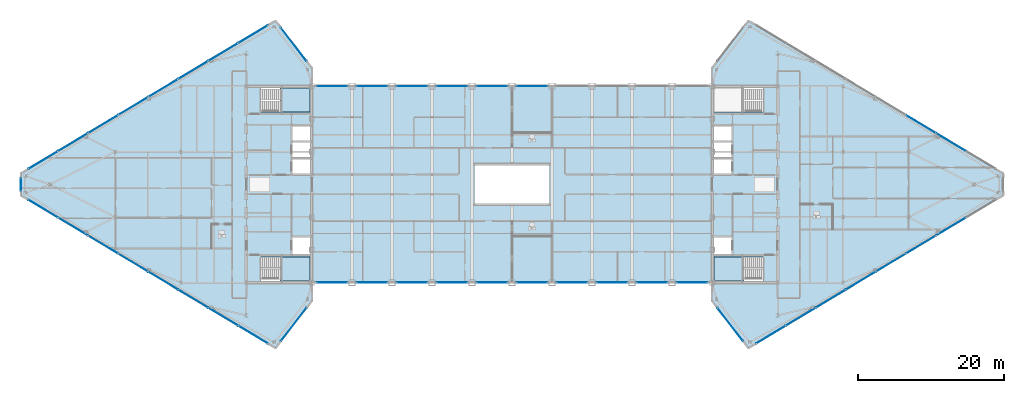
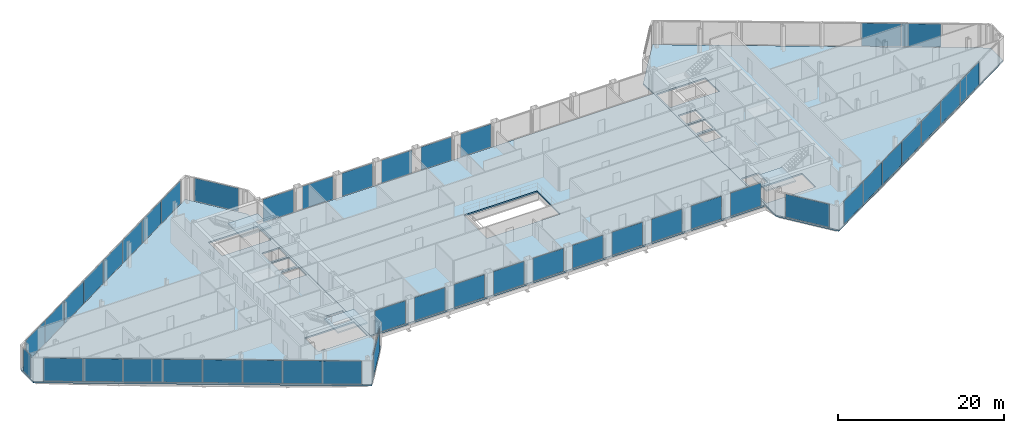
# One storey, part 19 of 29: 45 plates, 6 slabs, 27 elements without a shape of their own.
"""IFC4 building model written with IfcOpenShell, lengths in metres."""

from ifc_helpers import new_model, si_unit, direction, frame, origin, origin_2d, place, context, subcontext, project, spatial, polyline, rectangle, outline, extrude, source, transform, mapped, material, layer, layer_set, type_object, type_shapes, element, aggregate, save


model = new_model("IFC4")

# Units and contexts
model_context = context("Model", 3, precision=1e-05, world=origin(), true_north=direction((0.0, 1.0)))
body_context = subcontext(model_context, "Body", "Model", "MODEL_VIEW")
ifc_project = project(units=[si_unit("LENGTHUNIT", "METRE"), si_unit("AREAUNIT", "SQUARE_METRE"), si_unit("VOLUMEUNIT", "CUBIC_METRE"), si_unit("PLANEANGLEUNIT", "RADIAN"), si_unit("MASSUNIT", "GRAM", prefix="KILO")], contexts=[model_context])

# Site, building, storey
site_placement = place(None, origin())
site = spatial("IfcSite", under=ifc_project, at=site_placement, CompositionType="ELEMENT")
building_placement = place(site_placement, origin())
building = spatial("IfcBuilding", under=site, at=building_placement, Name="Seokmaru Belvedere", CompositionType="ELEMENT")
storey_placement = place(building_placement, frame((0.0, 0.0, 243.14990234375)))
storey = spatial("IfcBuildingStorey", under=building, at=storey_placement, Name="L64", CompositionType="ELEMENT", Elevation=243.14990234375)

# Stair, slab
ifc_material_1 = material(Name="Concrete C40 (40 MPa)", Category="concrete")
stair_type = type_object("IfcStairType", Name="Sky-Gate Residential Core Dog-Leg Stair 3750", PredefinedType="TWO_STRAIGHT_RUN_STAIR", material=ifc_material_1)
stair_1_placement = place(storey_placement, origin())
stair_1 = element("IfcStair", 1, at=stair_1_placement, inside=storey, type_object=stair_type, Name="L64 Special Escape Stair ST-W1", PredefinedType="TWO_STRAIGHT_RUN_STAIR")
ifc_layer_1 = layer(ifc_material_1, 0.199951171875)
ifc_layer_set_1 = layer_set([ifc_layer_1], Name="Concrete C40 (40 MPa)")
slab_type_1 = type_object("IfcSlabType", Name="Reinforced Concrete Stair Landing Slab 200", PredefinedType="LANDING", material=ifc_layer_set_1)
slab_1_placement = place(storey_placement, frame((0.0, 0.0, 1.675048828125)))
slab_1 = element("IfcSlab", 2, at=slab_1_placement, type_object=slab_type_1, Name="ST-W1 landing 1", PredefinedType="LANDING", context=body_context, shape_type="SweptSolid", body=[
    extrude(outline(polyline([(-31.8798828125, -13.239990234375), (-27.760009765625, -13.239990234375), (-27.760009765625, -9.949951171875), (-31.8798828125, -9.949951171875), (-31.8798828125, -13.239990234375)])), origin(), (0.0, 0.0, 1.0), 0.199951171875),
])
aggregate(stair_1, [slab_1])

stair_2_placement = place(storey_placement, origin())
stair_2 = element("IfcStair", 3, at=stair_2_placement, inside=storey, type_object=stair_type, Name="L64 Special Escape Stair ST-W2", PredefinedType="TWO_STRAIGHT_RUN_STAIR")
slab_2_placement = place(storey_placement, frame((0.0, 0.0, 1.675048828125)))
slab_2 = element("IfcSlab", 4, at=slab_2_placement, type_object=slab_type_1, Name="ST-W2 landing 1", PredefinedType="LANDING", context=body_context, shape_type="SweptSolid", body=[
    extrude(outline(polyline([(-31.8798828125, 9.949951171875), (-27.760009765625, 9.949951171875), (-27.760009765625, 13.239990234375), (-31.8798828125, 13.239990234375), (-31.8798828125, 9.949951171875)])), origin(), (0.0, 0.0, 1.0), 0.199951171875),
])
aggregate(stair_2, [slab_2])

stair_3_placement = place(storey_placement, origin())
stair_3 = element("IfcStair", 5, at=stair_3_placement, inside=storey, type_object=stair_type, Name="L64 Special Escape Stair ST-E1", PredefinedType="TWO_STRAIGHT_RUN_STAIR")
slab_3_placement = place(storey_placement, frame((0.0, 0.0, 1.675048828125)))
slab_3 = element("IfcSlab", 6, at=slab_3_placement, type_object=slab_type_1, Name="ST-E1 landing 1", PredefinedType="LANDING", context=body_context, shape_type="SweptSolid", body=[
    extrude(outline(polyline([(27.760009765625, -13.239990234375), (31.8798828125, -13.239990234375), (31.8798828125, -9.949951171875), (27.760009765625, -9.949951171875), (27.760009765625, -13.239990234375)])), origin(), (0.0, 0.0, 1.0), 0.199951171875),
])
aggregate(stair_3, [slab_3])

# Slabs
ifc_layer_2 = layer(ifc_material_1, 0.219970703125)
ifc_layer_set_2 = layer_set([ifc_layer_2], Name="Concrete C40 (40 MPa)")
slab_type_2 = type_object("IfcSlabType", Name="Typical Tower Composite Floor Slab 220", PredefinedType="FLOOR", material=ifc_layer_set_2)
slab_4_placement = place(storey_placement, frame((0.0, 0.0, -0.219970703125)))
element("IfcSlab", 7, at=slab_4_placement, inside=storey, type_object=slab_type_2, Name="L64 West Leg Floor Slab", PredefinedType="FLOOR", context=body_context, shape_type="SweptSolid", body=[
    extrude(outline(polyline([(-27.5, -16.0), (-27.5, 16.0), (-32.5, 22.5), (-67.5, 1.5), (-67.5, -1.5), (-32.5, -22.5), (-27.5, -16.0)]), holes=[polyline([(-34.60009765625, -13.25), (-27.75, -13.25), (-27.75, -9.949951171875), (-34.60009765625, -9.949951171875), (-34.60009765625, -13.25)]), polyline([(-34.60009765625, 9.949951171875), (-27.75, 9.949951171875), (-27.75, 13.25), (-34.60009765625, 13.25), (-34.60009765625, 9.949951171875)]), polyline([(-30.14990234375, -9.550048828125), (-27.75, -9.550048828125), (-27.75, -7.25), (-30.14990234375, -7.25), (-30.14990234375, -9.550048828125)]), polyline([(-30.14990234375, 1.449951171875), (-27.75, 1.449951171875), (-27.75, 3.449951171875), (-30.14990234375, 3.449951171875), (-30.14990234375, 1.449951171875)]), polyline([(-30.14990234375, 3.75), (-27.75, 3.75), (-27.75, 5.75), (-30.14990234375, 5.75), (-30.14990234375, 3.75)]), polyline([(-30.14990234375, 6.050048828125), (-27.75, 6.050048828125), (-27.75, 8.050048828125), (-30.14990234375, 8.050048828125), (-30.14990234375, 6.050048828125)])]), origin(), (0.0, 0.0, 1.0), 0.219970703125),
])
slab_5_placement = place(storey_placement, frame((0.0, 0.0, -0.219970703125)))
element("IfcSlab", 8, at=slab_5_placement, inside=storey, type_object=slab_type_2, Name="L64 East Leg Floor Slab", PredefinedType="FLOOR", context=body_context, shape_type="SweptSolid", body=[
    extrude(outline(polyline([(32.5, -22.5), (67.5, -1.5), (67.5, 1.5), (32.5, 22.5), (27.5, 16.0), (27.5, -16.0), (32.5, -22.5)]), holes=[polyline([(27.75, -13.25), (34.60009765625, -13.25), (34.60009765625, -9.949951171875), (27.75, -9.949951171875), (27.75, -13.25)]), polyline([(27.75, 9.949951171875), (34.60009765625, 9.949951171875), (34.60009765625, 13.25), (27.75, 13.25), (27.75, 9.949951171875)]), polyline([(27.75, -9.550048828125), (30.14990234375, -9.550048828125), (30.14990234375, -7.25), (27.75, -7.25), (27.75, -9.550048828125)]), polyline([(27.75, 1.449951171875), (30.14990234375, 1.449951171875), (30.14990234375, 3.449951171875), (27.75, 3.449951171875), (27.75, 1.449951171875)]), polyline([(27.75, 3.75), (30.14990234375, 3.75), (30.14990234375, 5.75), (27.75, 5.75), (27.75, 3.75)]), polyline([(27.75, 6.050048828125), (30.14990234375, 6.050048828125), (30.14990234375, 8.050048828125), (27.75, 8.050048828125), (27.75, 6.050048828125)])]), origin(), (0.0, 0.0, 1.0), 0.219970703125),
])
slab_6_placement = place(storey_placement, frame((0.0, 0.0, -0.219970703125)))
element("IfcSlab", 9, at=slab_6_placement, inside=storey, type_object=slab_type_2, Name="L64 Sky-Gate Bridge Floor Slab", PredefinedType="FLOOR", context=body_context, shape_type="SweptSolid", body=[
    extrude(outline(polyline([(-27.5, -13.5), (27.5, -13.5), (27.5, 13.5), (-27.5, 13.5), (-27.5, -13.5)]), holes=[polyline([(-5.10009765625, -2.800048828125), (5.10009765625, -2.800048828125), (5.10009765625, 2.800048828125), (-5.10009765625, 2.800048828125), (-5.10009765625, -2.800048828125)])]), origin(), (0.0, 0.0, 1.0), 0.219970703125),
])

# Curtain wall, plate
ifc_material_2 = material(Name="Bronze Triple Insulating Glass", Category="glass")
ifc_layer_3 = layer(ifc_material_2, 0.219970703125)
ifc_layer_set_3 = layer_set([ifc_layer_3], Name="Bronze Triple Insulating Glass")
curtain_wall_type = type_object("IfcCurtainWallType", Name="Sky-Gate Bridge Panorama Curtain Wall System CW-6", PredefinedType="NOTDEFINED", material=ifc_layer_set_3)
curtain_wall_1_placement = place(storey_placement, origin())
curtain_wall_1 = element("IfcCurtainWall", 10, at=curtain_wall_1_placement, inside=storey, type_object=curtain_wall_type, Name="L64 Curtain Wall WF2", PredefinedType="NOTDEFINED")
ifc_layer_4 = layer(ifc_material_2, 0.0419921875)
ifc_layer_set_4 = layer_set([ifc_layer_4], Name="Bronze Triple Insulating Glass")
plate_type = type_object("IfcPlateType", Name="Acoustic Laminated Panorama Glazing Panel 42", PredefinedType="CURTAIN_PANEL", material=ifc_layer_set_4)
shared_shape_1 = source(origin(), body_context, "Body", "SweptSolid", [
    extrude(rectangle(XDim=5.740478515625, YDim=0.0419921875, at=origin_2d()), origin(), (0.0, 0.0, 1.0), 3.3798828125),
])
plate_1_placement = place(storey_placement, frame((-30.0, 19.25, 0.0751953125), z_axis=(0.0, 0.0, 1.0), x_axis=(-0.609701187349, 0.792631353244, 0.0)))
plate_1 = element("IfcPlate", 11, at=plate_1_placement, type_object=plate_type, Name="CW:L64:WF2 Glazing Panel 1-1", PredefinedType="CURTAIN_PANEL", context=body_context, shape_type="MappedRepresentation", body=[
    mapped(shared_shape_1, transform((0.0, 0.0, 0.0), scale=1.0)),
])
aggregate(curtain_wall_1, [plate_1])

curtain_wall_2_placement = place(storey_placement, origin())
curtain_wall_2 = element("IfcCurtainWall", 12, at=curtain_wall_2_placement, inside=storey, type_object=curtain_wall_type, Name="L64 Curtain Wall WF6", PredefinedType="NOTDEFINED")
plate_2_placement = place(storey_placement, frame((-30.0, -19.25, 0.0751953125), z_axis=(0.0, 0.0, 1.0), x_axis=(0.609701187349, 0.792631353244, 0.0)))
plate_2 = element("IfcPlate", 13, at=plate_2_placement, type_object=plate_type, Name="CW:L64:WF6 Glazing Panel 1-1", PredefinedType="CURTAIN_PANEL", context=body_context, shape_type="MappedRepresentation", body=[
    mapped(shared_shape_1, transform((0.0, 0.0, 0.0), scale=1.0)),
])
aggregate(curtain_wall_2, [plate_2])

curtain_wall_3_placement = place(storey_placement, origin())
curtain_wall_3 = element("IfcCurtainWall", 14, at=curtain_wall_3_placement, inside=storey, type_object=curtain_wall_type, Name="L64 Curtain Wall EF6", PredefinedType="NOTDEFINED")
plate_3_placement = place(storey_placement, frame((30.0, -19.25, 0.0751953125), z_axis=(0.0, 0.0, 1.0), x_axis=(0.609701187349, -0.792631353244, 0.0)))
plate_3 = element("IfcPlate", 15, at=plate_3_placement, type_object=plate_type, Name="CW:L64:EF6 Glazing Panel 1-1", PredefinedType="CURTAIN_PANEL", context=body_context, shape_type="MappedRepresentation", body=[
    mapped(shared_shape_1, transform((0.0, 0.0, 0.0), scale=1.0)),
])
aggregate(curtain_wall_3, [plate_3])

# Curtain wall, plates
curtain_wall_4_placement = place(storey_placement, origin())
curtain_wall_4 = element("IfcCurtainWall", 16, at=curtain_wall_4_placement, inside=storey, type_object=curtain_wall_type, Name="L64 Curtain Wall WF3", PredefinedType="NOTDEFINED")
shared_shape_2 = source(origin(), body_context, "Body", "SweptSolid", [
    extrude(rectangle(XDim=4.694580078125, YDim=0.0419921875, at=origin_2d()), origin(), (0.0, 0.0, 1.0), 3.3798828125),
])
plate_4_placement = place(storey_placement, frame((-35.5673828125, 20.659423828125, 0.0751953125), z_axis=(0.0, 0.0, 1.0), x_axis=(-0.85749343335, -0.514494909364, 0.0)))
plate_4 = element("IfcPlate", 17, at=plate_4_placement, type_object=plate_type, Name="CW:L64:WF3 Glazing Panel 1-1", PredefinedType="CURTAIN_PANEL", context=body_context, shape_type="MappedRepresentation", body=[
    mapped(shared_shape_2, transform((0.0, 0.0, 0.0), scale=1.0)),
])
plate_5_placement = place(storey_placement, frame((-64.4326171875, 3.340576171875, 0.0751953125), z_axis=(0.0, 0.0, 1.0), x_axis=(-0.85749343335, -0.514494909364, 0.0)))
plate_5 = element("IfcPlate", 18, at=plate_5_placement, type_object=plate_type, Name="CW:L64:WF3 Glazing Panel 8-1", PredefinedType="CURTAIN_PANEL", context=body_context, shape_type="MappedRepresentation", body=[
    mapped(shared_shape_2, transform((0.0, 0.0, 0.0), scale=1.0)),
])

curtain_wall_5_placement = place(storey_placement, origin())
curtain_wall_5 = element("IfcCurtainWall", 19, at=curtain_wall_5_placement, inside=storey, type_object=curtain_wall_type, Name="L64 Curtain Wall WF5", PredefinedType="NOTDEFINED")
plate_6_placement = place(storey_placement, frame((-64.4326171875, -3.340576171875, 0.0751953125), z_axis=(0.0, 0.0, 1.0), x_axis=(0.85749343335, -0.514494909364, 0.0)))
plate_6 = element("IfcPlate", 20, at=plate_6_placement, type_object=plate_type, Name="CW:L64:WF5 Glazing Panel 1-1", PredefinedType="CURTAIN_PANEL", context=body_context, shape_type="MappedRepresentation", body=[
    mapped(shared_shape_2, transform((0.0, 0.0, 0.0), scale=1.0)),
])
plate_7_placement = place(storey_placement, frame((-35.5673828125, -20.659423828125, 0.0751953125), z_axis=(0.0, 0.0, 1.0), x_axis=(0.85749343335, -0.514494909364, 0.0)))
plate_7 = element("IfcPlate", 21, at=plate_7_placement, type_object=plate_type, Name="CW:L64:WF5 Glazing Panel 8-1", PredefinedType="CURTAIN_PANEL", context=body_context, shape_type="MappedRepresentation", body=[
    mapped(shared_shape_2, transform((0.0, 0.0, 0.0), scale=1.0)),
])

# Curtain wall, plate
curtain_wall_6_placement = place(storey_placement, origin())
curtain_wall_6 = element("IfcCurtainWall", 22, at=curtain_wall_6_placement, inside=storey, type_object=curtain_wall_type, Name="L64 Curtain Wall EF1", PredefinedType="NOTDEFINED")
plate_8_placement = place(storey_placement, frame((35.5673828125, -20.659423828125, 0.0751953125), z_axis=(0.0, 0.0, 1.0), x_axis=(0.85749343335, 0.514494909364, 0.0)))
plate_8 = element("IfcPlate", 23, at=plate_8_placement, type_object=plate_type, Name="CW:L64:EF1 Glazing Panel 1-1", PredefinedType="CURTAIN_PANEL", context=body_context, shape_type="MappedRepresentation", body=[
    mapped(shared_shape_2, transform((0.0, 0.0, 0.0), scale=1.0)),
])

# Plate
shared_shape_3 = source(origin(), body_context, "Body", "SweptSolid", [
    extrude(rectangle(XDim=4.734619140625, YDim=0.0419921875, at=origin_2d()), origin(), (0.0, 0.0, 1.0), 3.3798828125),
])
plate_9_placement = place(storey_placement, frame((-39.6787109375, 18.192626953125, 0.0751953125), z_axis=(0.0, 0.0, 1.0), x_axis=(-0.85749343335, -0.514494909364, 0.0)))
plate_9 = element("IfcPlate", 24, at=plate_9_placement, type_object=plate_type, Name="CW:L64:WF3 Glazing Panel 2-1", PredefinedType="CURTAIN_PANEL", context=body_context, shape_type="MappedRepresentation", body=[
    mapped(shared_shape_3, transform((0.0, 0.0, 0.0), scale=1.0)),
])

plate_10_placement = place(storey_placement, frame((-43.807373046875, 15.715576171875, 0.0751953125), z_axis=(0.0, 0.0, 1.0), x_axis=(-0.85749343335, -0.514494909364, 0.0)))
plate_10 = element("IfcPlate", 25, at=plate_10_placement, type_object=plate_type, Name="CW:L64:WF3 Glazing Panel 3-1", PredefinedType="CURTAIN_PANEL", context=body_context, shape_type="MappedRepresentation", body=[
    mapped(shared_shape_3, transform((0.0, 0.0, 0.0), scale=1.0)),
])

plate_11_placement = place(storey_placement, frame((-47.935791015625, 13.238525390625, 0.0751953125), z_axis=(0.0, 0.0, 1.0), x_axis=(-0.85749343335, -0.514494909364, 0.0)))
plate_11 = element("IfcPlate", 26, at=plate_11_placement, type_object=plate_type, Name="CW:L64:WF3 Glazing Panel 4-1", PredefinedType="CURTAIN_PANEL", context=body_context, shape_type="MappedRepresentation", body=[
    mapped(shared_shape_3, transform((0.0, 0.0, 0.0), scale=1.0)),
])

plate_12_placement = place(storey_placement, frame((-52.064208984375, 10.761474609375, 0.0751953125), z_axis=(0.0, 0.0, 1.0), x_axis=(-0.85749343335, -0.514494909364, 0.0)))
plate_12 = element("IfcPlate", 27, at=plate_12_placement, type_object=plate_type, Name="CW:L64:WF3 Glazing Panel 5-1", PredefinedType="CURTAIN_PANEL", context=body_context, shape_type="MappedRepresentation", body=[
    mapped(shared_shape_3, transform((0.0, 0.0, 0.0), scale=1.0)),
])

plate_13_placement = place(storey_placement, frame((-56.192626953125, 8.284423828125, 0.0751953125), z_axis=(0.0, 0.0, 1.0), x_axis=(-0.85749343335, -0.514494909364, 0.0)))
plate_13 = element("IfcPlate", 28, at=plate_13_placement, type_object=plate_type, Name="CW:L64:WF3 Glazing Panel 6-1", PredefinedType="CURTAIN_PANEL", context=body_context, shape_type="MappedRepresentation", body=[
    mapped(shared_shape_3, transform((0.0, 0.0, 0.0), scale=1.0)),
])

plate_14_placement = place(storey_placement, frame((-60.3212890625, 5.807373046875, 0.0751953125), z_axis=(0.0, 0.0, 1.0), x_axis=(-0.85749343335, -0.514494909364, 0.0)))
plate_14 = element("IfcPlate", 29, at=plate_14_placement, type_object=plate_type, Name="CW:L64:WF3 Glazing Panel 7-1", PredefinedType="CURTAIN_PANEL", context=body_context, shape_type="MappedRepresentation", body=[
    mapped(shared_shape_3, transform((0.0, 0.0, 0.0), scale=1.0)),
])

aggregate(curtain_wall_4, [plate_4, plate_9, plate_10, plate_11, plate_12, plate_13, plate_14, plate_5])

plate_15_placement = place(storey_placement, frame((-60.3212890625, -5.807373046875, 0.0751953125), z_axis=(0.0, 0.0, 1.0), x_axis=(0.85749343335, -0.514494909364, 0.0)))
plate_15 = element("IfcPlate", 30, at=plate_15_placement, type_object=plate_type, Name="CW:L64:WF5 Glazing Panel 2-1", PredefinedType="CURTAIN_PANEL", context=body_context, shape_type="MappedRepresentation", body=[
    mapped(shared_shape_3, transform((0.0, 0.0, 0.0), scale=1.0)),
])

plate_16_placement = place(storey_placement, frame((-56.192626953125, -8.284423828125, 0.0751953125), z_axis=(0.0, 0.0, 1.0), x_axis=(0.85749343335, -0.514494909364, 0.0)))
plate_16 = element("IfcPlate", 31, at=plate_16_placement, type_object=plate_type, Name="CW:L64:WF5 Glazing Panel 3-1", PredefinedType="CURTAIN_PANEL", context=body_context, shape_type="MappedRepresentation", body=[
    mapped(shared_shape_3, transform((0.0, 0.0, 0.0), scale=1.0)),
])

plate_17_placement = place(storey_placement, frame((-52.064208984375, -10.761474609375, 0.0751953125), z_axis=(0.0, 0.0, 1.0), x_axis=(0.85749343335, -0.514494909364, 0.0)))
plate_17 = element("IfcPlate", 32, at=plate_17_placement, type_object=plate_type, Name="CW:L64:WF5 Glazing Panel 4-1", PredefinedType="CURTAIN_PANEL", context=body_context, shape_type="MappedRepresentation", body=[
    mapped(shared_shape_3, transform((0.0, 0.0, 0.0), scale=1.0)),
])

plate_18_placement = place(storey_placement, frame((-47.935791015625, -13.238525390625, 0.0751953125), z_axis=(0.0, 0.0, 1.0), x_axis=(0.85749343335, -0.514494909364, 0.0)))
plate_18 = element("IfcPlate", 33, at=plate_18_placement, type_object=plate_type, Name="CW:L64:WF5 Glazing Panel 5-1", PredefinedType="CURTAIN_PANEL", context=body_context, shape_type="MappedRepresentation", body=[
    mapped(shared_shape_3, transform((0.0, 0.0, 0.0), scale=1.0)),
])

plate_19_placement = place(storey_placement, frame((-43.807373046875, -15.715576171875, 0.0751953125), z_axis=(0.0, 0.0, 1.0), x_axis=(0.85749343335, -0.514494909364, 0.0)))
plate_19 = element("IfcPlate", 34, at=plate_19_placement, type_object=plate_type, Name="CW:L64:WF5 Glazing Panel 6-1", PredefinedType="CURTAIN_PANEL", context=body_context, shape_type="MappedRepresentation", body=[
    mapped(shared_shape_3, transform((0.0, 0.0, 0.0), scale=1.0)),
])

plate_20_placement = place(storey_placement, frame((-39.6787109375, -18.192626953125, 0.0751953125), z_axis=(0.0, 0.0, 1.0), x_axis=(0.85749343335, -0.514494909364, 0.0)))
plate_20 = element("IfcPlate", 35, at=plate_20_placement, type_object=plate_type, Name="CW:L64:WF5 Glazing Panel 7-1", PredefinedType="CURTAIN_PANEL", context=body_context, shape_type="MappedRepresentation", body=[
    mapped(shared_shape_3, transform((0.0, 0.0, 0.0), scale=1.0)),
])

aggregate(curtain_wall_5, [plate_6, plate_15, plate_16, plate_17, plate_18, plate_19, plate_20, plate_7])

plate_21_placement = place(storey_placement, frame((39.6787109375, -18.192626953125, 0.0751953125), z_axis=(0.0, 0.0, 1.0), x_axis=(0.85749343335, 0.514494909364, 0.0)))
plate_21 = element("IfcPlate", 36, at=plate_21_placement, type_object=plate_type, Name="CW:L64:EF1 Glazing Panel 2-1", PredefinedType="CURTAIN_PANEL", context=body_context, shape_type="MappedRepresentation", body=[
    mapped(shared_shape_3, transform((0.0, 0.0, 0.0), scale=1.0)),
])

plate_22_placement = place(storey_placement, frame((43.807373046875, -15.715576171875, 0.0751953125), z_axis=(0.0, 0.0, 1.0), x_axis=(0.85749343335, 0.514494909364, 0.0)))
plate_22 = element("IfcPlate", 37, at=plate_22_placement, type_object=plate_type, Name="CW:L64:EF1 Glazing Panel 3-1", PredefinedType="CURTAIN_PANEL", context=body_context, shape_type="MappedRepresentation", body=[
    mapped(shared_shape_3, transform((0.0, 0.0, 0.0), scale=1.0)),
])

plate_23_placement = place(storey_placement, frame((47.935791015625, -13.238525390625, 0.0751953125), z_axis=(0.0, 0.0, 1.0), x_axis=(0.85749343335, 0.514494909364, 0.0)))
plate_23 = element("IfcPlate", 38, at=plate_23_placement, type_object=plate_type, Name="CW:L64:EF1 Glazing Panel 4-1", PredefinedType="CURTAIN_PANEL", context=body_context, shape_type="MappedRepresentation", body=[
    mapped(shared_shape_3, transform((0.0, 0.0, 0.0), scale=1.0)),
])

plate_24_placement = place(storey_placement, frame((52.064208984375, -10.761474609375, 0.0751953125), z_axis=(0.0, 0.0, 1.0), x_axis=(0.85749343335, 0.514494909364, 0.0)))
plate_24 = element("IfcPlate", 39, at=plate_24_placement, type_object=plate_type, Name="CW:L64:EF1 Glazing Panel 5-1", PredefinedType="CURTAIN_PANEL", context=body_context, shape_type="MappedRepresentation", body=[
    mapped(shared_shape_3, transform((0.0, 0.0, 0.0), scale=1.0)),
])

plate_25_placement = place(storey_placement, frame((56.192626953125, -8.284423828125, 0.0751953125), z_axis=(0.0, 0.0, 1.0), x_axis=(0.85749343335, 0.514494909364, 0.0)))
plate_25 = element("IfcPlate", 40, at=plate_25_placement, type_object=plate_type, Name="CW:L64:EF1 Glazing Panel 6-1", PredefinedType="CURTAIN_PANEL", context=body_context, shape_type="MappedRepresentation", body=[
    mapped(shared_shape_3, transform((0.0, 0.0, 0.0), scale=1.0)),
])

plate_26_placement = place(storey_placement, frame((60.3212890625, -5.807373046875, 0.0751953125), z_axis=(0.0, 0.0, 1.0), x_axis=(0.85749343335, 0.514494909364, 0.0)))
plate_26 = element("IfcPlate", 41, at=plate_26_placement, type_object=plate_type, Name="CW:L64:EF1 Glazing Panel 7-1", PredefinedType="CURTAIN_PANEL", context=body_context, shape_type="MappedRepresentation", body=[
    mapped(shared_shape_3, transform((0.0, 0.0, 0.0), scale=1.0)),
])

aggregate(curtain_wall_6, [plate_8, plate_21, plate_22, plate_23, plate_24, plate_25, plate_26])

# Curtain wall, plates
curtain_wall_7_placement = place(storey_placement, origin())
curtain_wall_7 = element("IfcCurtainWall", 42, at=curtain_wall_7_placement, inside=storey, type_object=curtain_wall_type, Name="L64 Curtain Wall EF3", PredefinedType="NOTDEFINED")
plate_27_placement = place(storey_placement, frame((60.3212890625, 5.807373046875, 0.0751953125), z_axis=(0.0, 0.0, 1.0), x_axis=(-0.85749343335, 0.514494909364, 0.0)))
plate_27 = element("IfcPlate", 43, at=plate_27_placement, type_object=plate_type, Name="CW:L64:EF3 Glazing Panel 2-1", PredefinedType="CURTAIN_PANEL", context=body_context, shape_type="MappedRepresentation", body=[
    mapped(shared_shape_3, transform((0.0, 0.0, 0.0), scale=1.0)),
])
plate_28_placement = place(storey_placement, frame((56.192626953125, 8.284423828125, 0.0751953125), z_axis=(0.0, 0.0, 1.0), x_axis=(-0.85749343335, 0.514494909364, 0.0)))
plate_28 = element("IfcPlate", 44, at=plate_28_placement, type_object=plate_type, Name="CW:L64:EF3 Glazing Panel 3-1", PredefinedType="CURTAIN_PANEL", context=body_context, shape_type="MappedRepresentation", body=[
    mapped(shared_shape_3, transform((0.0, 0.0, 0.0), scale=1.0)),
])
aggregate(curtain_wall_7, [plate_27, plate_28])

# Curtain wall, plate
curtain_wall_8_placement = place(storey_placement, origin())
curtain_wall_8 = element("IfcCurtainWall", 45, at=curtain_wall_8_placement, inside=storey, type_object=curtain_wall_type, Name="L64 Curtain Wall WF4", PredefinedType="NOTDEFINED")
shared_shape_4 = source(origin(), body_context, "Body", "SweptSolid", [
    extrude(rectangle(XDim=1.739990234375, YDim=0.0419921875, at=origin_2d()), origin(), (0.0, 0.0, 1.0), 3.3798828125),
])
plate_29_placement = place(storey_placement, frame((-67.5, 0.0, 0.0751953125), z_axis=(0.0, 0.0, 1.0), x_axis=(0.0, -1.0, 0.0)))
plate_29 = element("IfcPlate", 46, at=plate_29_placement, type_object=plate_type, Name="CW:L64:WF4 Glazing Panel 1-1", PredefinedType="CURTAIN_PANEL", context=body_context, shape_type="MappedRepresentation", body=[
    mapped(shared_shape_4, transform((0.0, 0.0, 0.0), scale=1.0)),
])
aggregate(curtain_wall_8, [plate_29])

curtain_wall_9_placement = place(storey_placement, origin())
curtain_wall_9 = element("IfcCurtainWall", 47, at=curtain_wall_9_placement, inside=storey, type_object=curtain_wall_type, Name="L64 Curtain Wall BR_S01", PredefinedType="NOTDEFINED")
shared_shape_5 = source(origin(), body_context, "Body", "SweptSolid", [
    extrude(rectangle(XDim=4.239990234375, YDim=0.0419921875, at=origin_2d()), origin(), (0.0, 0.0, 1.0), 3.3798828125),
])
type_shapes(plate_type, [shared_shape_1, shared_shape_2, shared_shape_3, shared_shape_4, shared_shape_5])
plate_30_placement = place(storey_placement, frame((-24.75, -13.5, 0.0751953125), z_axis=(0.0, 0.0, 1.0), x_axis=(1.0, 0.0, 0.0)))
plate_30 = element("IfcPlate", 48, at=plate_30_placement, type_object=plate_type, Name="CW:L64:BR_S01 Glazing Panel 1-1", PredefinedType="CURTAIN_PANEL", context=body_context, shape_type="MappedRepresentation", body=[
    mapped(shared_shape_5, transform((0.0, 0.0, 0.0), scale=1.0)),
])
aggregate(curtain_wall_9, [plate_30])

curtain_wall_10_placement = place(storey_placement, origin())
curtain_wall_10 = element("IfcCurtainWall", 49, at=curtain_wall_10_placement, inside=storey, type_object=curtain_wall_type, Name="L64 Curtain Wall BR_N01", PredefinedType="NOTDEFINED")
plate_31_placement = place(storey_placement, frame((-24.75, 13.5, 0.0751953125), z_axis=(0.0, 0.0, 1.0), x_axis=(-1.0, 0.0, 0.0)))
plate_31 = element("IfcPlate", 50, at=plate_31_placement, type_object=plate_type, Name="CW:L64:BR_N01 Glazing Panel 1-1", PredefinedType="CURTAIN_PANEL", context=body_context, shape_type="MappedRepresentation", body=[
    mapped(shared_shape_5, transform((0.0, 0.0, 0.0), scale=1.0)),
])
aggregate(curtain_wall_10, [plate_31])

curtain_wall_11_placement = place(storey_placement, origin())
curtain_wall_11 = element("IfcCurtainWall", 51, at=curtain_wall_11_placement, inside=storey, type_object=curtain_wall_type, Name="L64 Curtain Wall BR_S02", PredefinedType="NOTDEFINED")
plate_32_placement = place(storey_placement, frame((-19.25, -13.5, 0.0751953125), z_axis=(0.0, 0.0, 1.0), x_axis=(1.0, 0.0, 0.0)))
plate_32 = element("IfcPlate", 52, at=plate_32_placement, type_object=plate_type, Name="CW:L64:BR_S02 Glazing Panel 1-1", PredefinedType="CURTAIN_PANEL", context=body_context, shape_type="MappedRepresentation", body=[
    mapped(shared_shape_5, transform((0.0, 0.0, 0.0), scale=1.0)),
])
aggregate(curtain_wall_11, [plate_32])

curtain_wall_12_placement = place(storey_placement, origin())
curtain_wall_12 = element("IfcCurtainWall", 53, at=curtain_wall_12_placement, inside=storey, type_object=curtain_wall_type, Name="L64 Curtain Wall BR_N02", PredefinedType="NOTDEFINED")
plate_33_placement = place(storey_placement, frame((-19.25, 13.5, 0.0751953125), z_axis=(0.0, 0.0, 1.0), x_axis=(-1.0, 0.0, 0.0)))
plate_33 = element("IfcPlate", 54, at=plate_33_placement, type_object=plate_type, Name="CW:L64:BR_N02 Glazing Panel 1-1", PredefinedType="CURTAIN_PANEL", context=body_context, shape_type="MappedRepresentation", body=[
    mapped(shared_shape_5, transform((0.0, 0.0, 0.0), scale=1.0)),
])
aggregate(curtain_wall_12, [plate_33])

curtain_wall_13_placement = place(storey_placement, origin())
curtain_wall_13 = element("IfcCurtainWall", 55, at=curtain_wall_13_placement, inside=storey, type_object=curtain_wall_type, Name="L64 Curtain Wall BR_S03", PredefinedType="NOTDEFINED")
plate_34_placement = place(storey_placement, frame((-13.75, -13.5, 0.0751953125), z_axis=(0.0, 0.0, 1.0), x_axis=(1.0, 0.0, 0.0)))
plate_34 = element("IfcPlate", 56, at=plate_34_placement, type_object=plate_type, Name="CW:L64:BR_S03 Glazing Panel 1-1", PredefinedType="CURTAIN_PANEL", context=body_context, shape_type="MappedRepresentation", body=[
    mapped(shared_shape_5, transform((0.0, 0.0, 0.0), scale=1.0)),
])
aggregate(curtain_wall_13, [plate_34])

curtain_wall_14_placement = place(storey_placement, origin())
curtain_wall_14 = element("IfcCurtainWall", 57, at=curtain_wall_14_placement, inside=storey, type_object=curtain_wall_type, Name="L64 Curtain Wall BR_N03", PredefinedType="NOTDEFINED")
plate_35_placement = place(storey_placement, frame((-13.75, 13.5, 0.0751953125), z_axis=(0.0, 0.0, 1.0), x_axis=(-1.0, 0.0, 0.0)))
plate_35 = element("IfcPlate", 58, at=plate_35_placement, type_object=plate_type, Name="CW:L64:BR_N03 Glazing Panel 1-1", PredefinedType="CURTAIN_PANEL", context=body_context, shape_type="MappedRepresentation", body=[
    mapped(shared_shape_5, transform((0.0, 0.0, 0.0), scale=1.0)),
])
aggregate(curtain_wall_14, [plate_35])

curtain_wall_15_placement = place(storey_placement, origin())
curtain_wall_15 = element("IfcCurtainWall", 59, at=curtain_wall_15_placement, inside=storey, type_object=curtain_wall_type, Name="L64 Curtain Wall BR_S04", PredefinedType="NOTDEFINED")
plate_36_placement = place(storey_placement, frame((-8.25, -13.5, 0.0751953125), z_axis=(0.0, 0.0, 1.0), x_axis=(1.0, 0.0, 0.0)))
plate_36 = element("IfcPlate", 60, at=plate_36_placement, type_object=plate_type, Name="CW:L64:BR_S04 Glazing Panel 1-1", PredefinedType="CURTAIN_PANEL", context=body_context, shape_type="MappedRepresentation", body=[
    mapped(shared_shape_5, transform((0.0, 0.0, 0.0), scale=1.0)),
])
aggregate(curtain_wall_15, [plate_36])

curtain_wall_16_placement = place(storey_placement, origin())
curtain_wall_16 = element("IfcCurtainWall", 61, at=curtain_wall_16_placement, inside=storey, type_object=curtain_wall_type, Name="L64 Curtain Wall BR_N04", PredefinedType="NOTDEFINED")
plate_37_placement = place(storey_placement, frame((-8.25, 13.5, 0.0751953125), z_axis=(0.0, 0.0, 1.0), x_axis=(-1.0, 0.0, 0.0)))
plate_37 = element("IfcPlate", 62, at=plate_37_placement, type_object=plate_type, Name="CW:L64:BR_N04 Glazing Panel 1-1", PredefinedType="CURTAIN_PANEL", context=body_context, shape_type="MappedRepresentation", body=[
    mapped(shared_shape_5, transform((0.0, 0.0, 0.0), scale=1.0)),
])
aggregate(curtain_wall_16, [plate_37])

curtain_wall_17_placement = place(storey_placement, origin())
curtain_wall_17 = element("IfcCurtainWall", 63, at=curtain_wall_17_placement, inside=storey, type_object=curtain_wall_type, Name="L64 Curtain Wall BR_S05", PredefinedType="NOTDEFINED")
plate_38_placement = place(storey_placement, frame((-2.75, -13.5, 0.0751953125), z_axis=(0.0, 0.0, 1.0), x_axis=(1.0, 0.0, 0.0)))
plate_38 = element("IfcPlate", 64, at=plate_38_placement, type_object=plate_type, Name="CW:L64:BR_S05 Glazing Panel 1-1", PredefinedType="CURTAIN_PANEL", context=body_context, shape_type="MappedRepresentation", body=[
    mapped(shared_shape_5, transform((0.0, 0.0, 0.0), scale=1.0)),
])
aggregate(curtain_wall_17, [plate_38])

curtain_wall_18_placement = place(storey_placement, origin())
curtain_wall_18 = element("IfcCurtainWall", 65, at=curtain_wall_18_placement, inside=storey, type_object=curtain_wall_type, Name="L64 Curtain Wall BR_N05", PredefinedType="NOTDEFINED")
plate_39_placement = place(storey_placement, frame((-2.75, 13.5, 0.0751953125), z_axis=(0.0, 0.0, 1.0), x_axis=(-1.0, 0.0, 0.0)))
plate_39 = element("IfcPlate", 66, at=plate_39_placement, type_object=plate_type, Name="CW:L64:BR_N05 Glazing Panel 1-1", PredefinedType="CURTAIN_PANEL", context=body_context, shape_type="MappedRepresentation", body=[
    mapped(shared_shape_5, transform((0.0, 0.0, 0.0), scale=1.0)),
])
aggregate(curtain_wall_18, [plate_39])

curtain_wall_19_placement = place(storey_placement, origin())
curtain_wall_19 = element("IfcCurtainWall", 67, at=curtain_wall_19_placement, inside=storey, type_object=curtain_wall_type, Name="L64 Curtain Wall BR_S06", PredefinedType="NOTDEFINED")
plate_40_placement = place(storey_placement, frame((2.75, -13.5, 0.0751953125), z_axis=(0.0, 0.0, 1.0), x_axis=(1.0, 0.0, 0.0)))
plate_40 = element("IfcPlate", 68, at=plate_40_placement, type_object=plate_type, Name="CW:L64:BR_S06 Glazing Panel 1-1", PredefinedType="CURTAIN_PANEL", context=body_context, shape_type="MappedRepresentation", body=[
    mapped(shared_shape_5, transform((0.0, 0.0, 0.0), scale=1.0)),
])
aggregate(curtain_wall_19, [plate_40])

curtain_wall_20_placement = place(storey_placement, origin())
curtain_wall_20 = element("IfcCurtainWall", 69, at=curtain_wall_20_placement, inside=storey, type_object=curtain_wall_type, Name="L64 Curtain Wall BR_N06", PredefinedType="NOTDEFINED")
plate_41_placement = place(storey_placement, frame((2.75, 13.5, 0.0751953125), z_axis=(0.0, 0.0, 1.0), x_axis=(-1.0, 0.0, 0.0)))
plate_41 = element("IfcPlate", 70, at=plate_41_placement, type_object=plate_type, Name="CW:L64:BR_N06 Glazing Panel 1-1", PredefinedType="CURTAIN_PANEL", context=body_context, shape_type="MappedRepresentation", body=[
    mapped(shared_shape_5, transform((0.0, 0.0, 0.0), scale=1.0)),
])
aggregate(curtain_wall_20, [plate_41])

curtain_wall_21_placement = place(storey_placement, origin())
curtain_wall_21 = element("IfcCurtainWall", 71, at=curtain_wall_21_placement, inside=storey, type_object=curtain_wall_type, Name="L64 Curtain Wall BR_S07", PredefinedType="NOTDEFINED")
plate_42_placement = place(storey_placement, frame((8.25, -13.5, 0.0751953125), z_axis=(0.0, 0.0, 1.0), x_axis=(1.0, 0.0, 0.0)))
plate_42 = element("IfcPlate", 72, at=plate_42_placement, type_object=plate_type, Name="CW:L64:BR_S07 Glazing Panel 1-1", PredefinedType="CURTAIN_PANEL", context=body_context, shape_type="MappedRepresentation", body=[
    mapped(shared_shape_5, transform((0.0, 0.0, 0.0), scale=1.0)),
])
aggregate(curtain_wall_21, [plate_42])

curtain_wall_22_placement = place(storey_placement, origin())
curtain_wall_22 = element("IfcCurtainWall", 73, at=curtain_wall_22_placement, inside=storey, type_object=curtain_wall_type, Name="L64 Curtain Wall BR_S08", PredefinedType="NOTDEFINED")
plate_43_placement = place(storey_placement, frame((13.75, -13.5, 0.0751953125), z_axis=(0.0, 0.0, 1.0), x_axis=(1.0, 0.0, 0.0)))
plate_43 = element("IfcPlate", 74, at=plate_43_placement, type_object=plate_type, Name="CW:L64:BR_S08 Glazing Panel 1-1", PredefinedType="CURTAIN_PANEL", context=body_context, shape_type="MappedRepresentation", body=[
    mapped(shared_shape_5, transform((0.0, 0.0, 0.0), scale=1.0)),
])
aggregate(curtain_wall_22, [plate_43])

curtain_wall_23_placement = place(storey_placement, origin())
curtain_wall_23 = element("IfcCurtainWall", 75, at=curtain_wall_23_placement, inside=storey, type_object=curtain_wall_type, Name="L64 Curtain Wall BR_S09", PredefinedType="NOTDEFINED")
plate_44_placement = place(storey_placement, frame((19.25, -13.5, 0.0751953125), z_axis=(0.0, 0.0, 1.0), x_axis=(1.0, 0.0, 0.0)))
plate_44 = element("IfcPlate", 76, at=plate_44_placement, type_object=plate_type, Name="CW:L64:BR_S09 Glazing Panel 1-1", PredefinedType="CURTAIN_PANEL", context=body_context, shape_type="MappedRepresentation", body=[
    mapped(shared_shape_5, transform((0.0, 0.0, 0.0), scale=1.0)),
])
aggregate(curtain_wall_23, [plate_44])

curtain_wall_24_placement = place(storey_placement, origin())
curtain_wall_24 = element("IfcCurtainWall", 77, at=curtain_wall_24_placement, inside=storey, type_object=curtain_wall_type, Name="L64 Curtain Wall BR_S10", PredefinedType="NOTDEFINED")
plate_45_placement = place(storey_placement, frame((24.75, -13.5, 0.0751953125), z_axis=(0.0, 0.0, 1.0), x_axis=(1.0, 0.0, 0.0)))
plate_45 = element("IfcPlate", 78, at=plate_45_placement, type_object=plate_type, Name="CW:L64:BR_S10 Glazing Panel 1-1", PredefinedType="CURTAIN_PANEL", context=body_context, shape_type="MappedRepresentation", body=[
    mapped(shared_shape_5, transform((0.0, 0.0, 0.0), scale=1.0)),
])
aggregate(curtain_wall_24, [plate_45])

save(model, "model.ifc")
